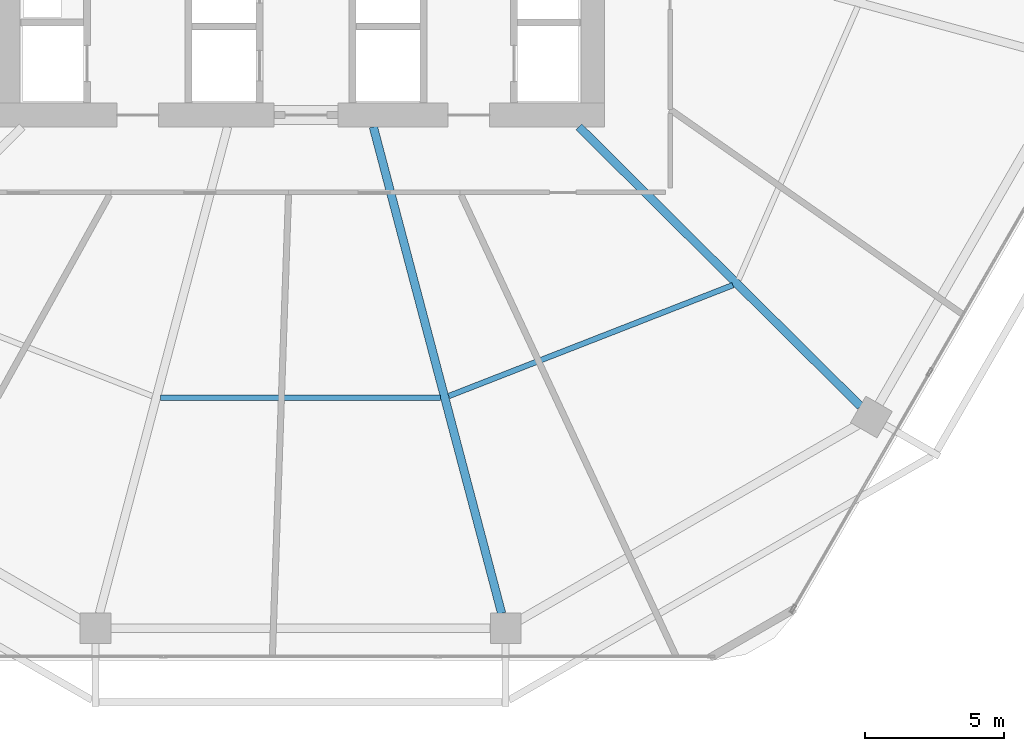
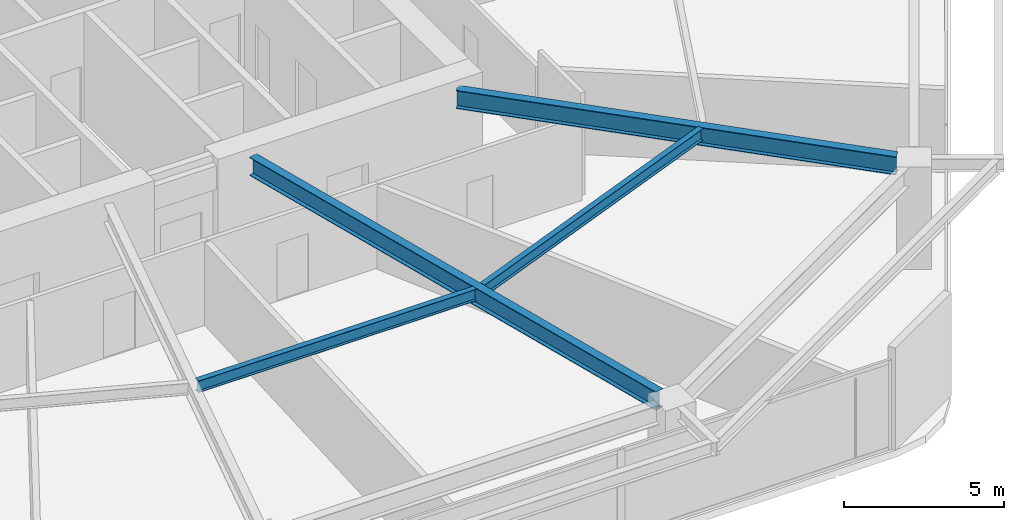
# One storey, part 8 of 28: 4 beams.
"""IFC4 building model written with IfcOpenShell, lengths in metres."""

from ifc_helpers import new_model, si_unit, direction, frame, origin, origin_2d, place, context, subcontext, project, spatial, i_section, extrude, material, material_profile, profile_set, type_object, element, save


model = new_model("IFC4")

# Units and contexts
model_context = context("Model", 3, precision=1e-05, world=origin(), true_north=direction((0.0, 1.0)))
body_context = subcontext(model_context, "Body", "Model", "MODEL_VIEW")
ifc_project = project(units=[si_unit("LENGTHUNIT", "METRE"), si_unit("AREAUNIT", "SQUARE_METRE"), si_unit("VOLUMEUNIT", "CUBIC_METRE"), si_unit("PLANEANGLEUNIT", "RADIAN"), si_unit("MASSUNIT", "GRAM", prefix="KILO")], contexts=[model_context])

# Site, building, storey
site_placement = place(None, origin())
site = spatial("IfcSite", under=ifc_project, at=site_placement, CompositionType="ELEMENT")
building_placement = place(site_placement, origin())
building = spatial("IfcBuilding", under=site, at=building_placement, Name="Zuhravey Tower", CompositionType="ELEMENT")
storey_placement = place(building_placement, frame((0.0, 0.0, 79.199951171875)))
storey = spatial("IfcBuildingStorey", under=building, at=storey_placement, Name="L19", CompositionType="ELEMENT", Elevation=79.199951171875)

# Beams
ifc_material = material(Name="Steel SM355", Category="steel")
ifc_material_profile_1 = material_profile(ifc_material, i_section(OverallWidth=0.300048828125, OverallDepth=0.699951171875, WebThickness=0.012939453125, FlangeThickness=0.02392578125, at=origin_2d()), Name="H-700x300x13x24")
ifc_profile_set_1 = profile_set([ifc_material_profile_1], Name="Steel SM355")
beam_type_1 = type_object("IfcBeamType", Name="Radial Primary Girder H700x300", PredefinedType="BEAM", material=ifc_profile_set_1)
beam_1_placement = place(storey_placement, frame((38.617919921875, 22.072021484375, 3.570068359375), z_axis=(0.254987019627, -0.96694447608, 0.0), x_axis=(0.96694447608, 0.254987019627, 0.0)))
element("IfcBeam", 1, at=beam_1_placement, inside=storey, type_object=beam_type_1, Name="L19 RG1 BM-L19-RAD-10", PredefinedType="BEAM", context=body_context, shape_type="SweptSolid", body=[
    extrude(i_section(OverallWidth=0.300048828125, OverallDepth=0.699951171875, WebThickness=0.012939453125, FlangeThickness=0.02392578125, at=origin_2d()), origin(), (0.0, 0.0, 1.0), 18.08349609375),
])
beam_2_placement = place(storey_placement, frame((46.007080078125, 22.072021484375, 3.570068359375), z_axis=(0.709901518563, -0.704300954097, 0.0), x_axis=(0.704300954097, 0.709901518563, 0.0)))
element("IfcBeam", 2, at=beam_2_placement, inside=storey, type_object=beam_type_1, Name="L19 RG1 BM-L19-RAD-11", PredefinedType="BEAM", context=body_context, shape_type="SweptSolid", body=[
    extrude(i_section(OverallWidth=0.300048828125, OverallDepth=0.699951171875, WebThickness=0.012939453125, FlangeThickness=0.02392578125, at=origin_2d()), origin(), (0.0, 0.0, 1.0), 14.254638671875),
])
ifc_material_profile_2 = material_profile(ifc_material, i_section(OverallWidth=0.199951171875, OverallDepth=0.449951171875, WebThickness=0.009033203125, FlangeThickness=0.013916015625, at=origin_2d()), Name="H-450x200x9x14")
ifc_profile_set_2 = profile_set([ifc_material_profile_2], Name="Steel SM355")
beam_type_2 = type_object("IfcBeamType", Name="Secondary Floor Joist H450x200", PredefinedType="JOIST", material=ifc_profile_set_2)
beam_3_placement = place(storey_placement, frame((30.969970703125, 12.3408203125, 3.695068359375), z_axis=(1.0, 0.0, 0.0), x_axis=(0.0, 1.0, 0.0)))
element("IfcBeam", 3, at=beam_3_placement, inside=storey, type_object=beam_type_2, Name="L19 SJ1 BM-L19-SJ-09-1", PredefinedType="JOIST", context=body_context, shape_type="SweptSolid", body=[
    extrude(i_section(OverallWidth=0.199951171875, OverallDepth=0.449951171875, WebThickness=0.009033203125, FlangeThickness=0.013916015625, at=origin_2d()), origin(), (0.0, 0.0, 1.0), 10.06005859375),
])
beam_4_placement = place(storey_placement, frame((41.32763671875, 12.39697265625, 3.695068359375), z_axis=(0.931516535886, 0.363698973562, 0.0), x_axis=(-0.363698973562, 0.931516535886, 0.0)))
element("IfcBeam", 4, at=beam_4_placement, inside=storey, type_object=beam_type_2, Name="L19 SJ1 BM-L19-SJ-10-1", PredefinedType="JOIST", context=body_context, shape_type="SweptSolid", body=[
    extrude(i_section(OverallWidth=0.199951171875, OverallDepth=0.449951171875, WebThickness=0.009033203125, FlangeThickness=0.013916015625, at=origin_2d()), origin(), (0.0, 0.0, 1.0), 10.963134765625),
])

save(model, "model.ifc")
